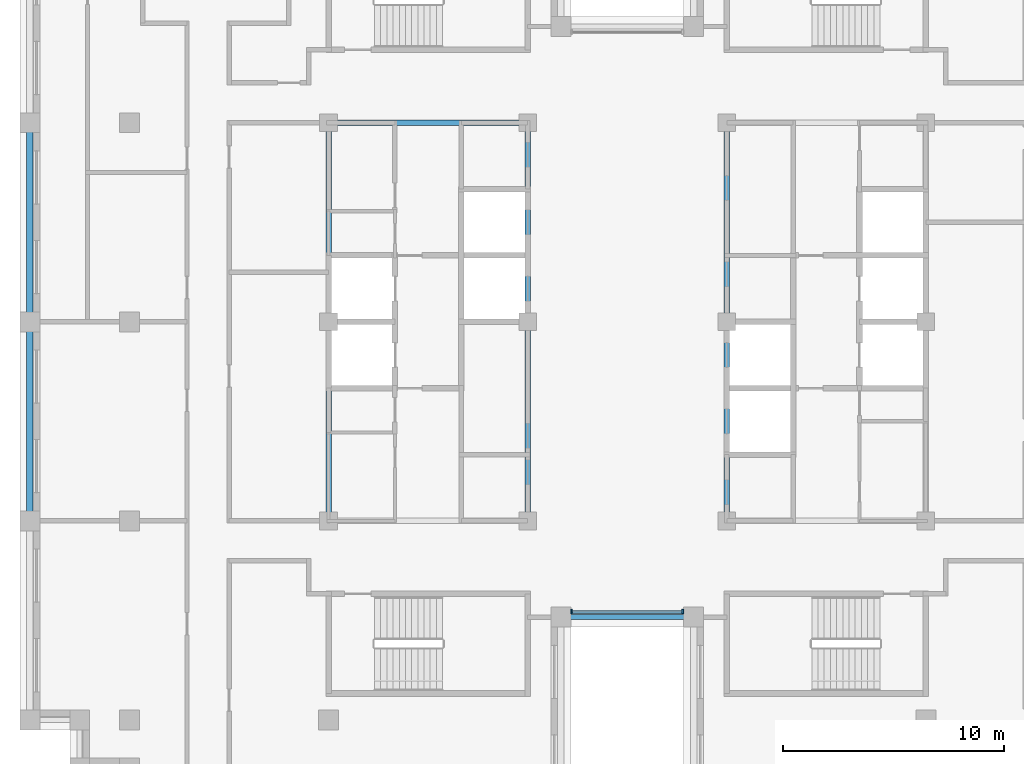
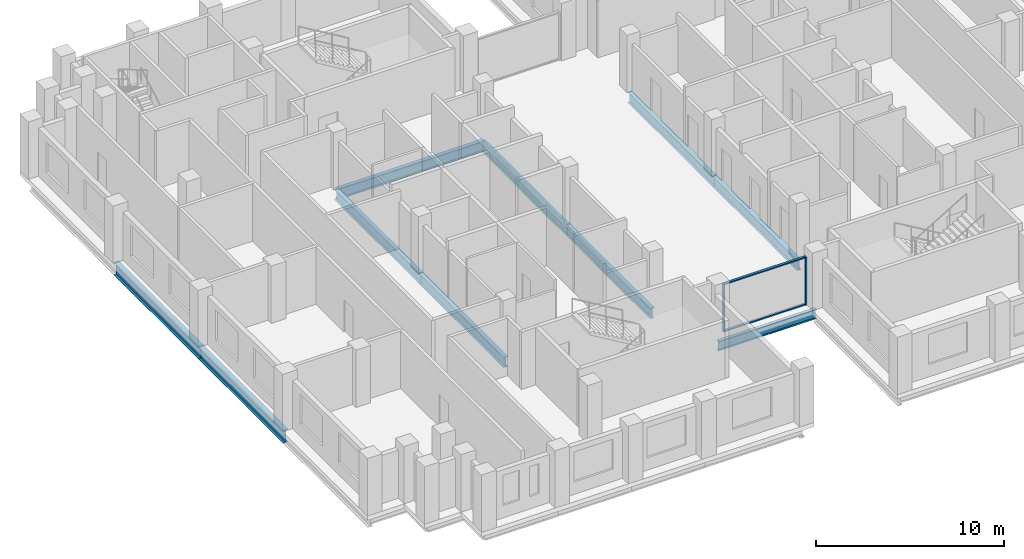
# One storey, part 2 of 13: 10 beams, 4 members, 1 element without a shape of its own.
"""IFC4 building model written with IfcOpenShell, lengths in metres."""

from ifc_helpers import new_model, si_unit, direction, frame, origin, origin_2d, place, context, subcontext, project, spatial, rectangle, i_section, extrude, material, layer, layer_set, material_profile, profile_set, type_object, element, aggregate, save


model = new_model("IFC4")

# Units and contexts
model_context = context("Model", 3, precision=1e-05, world=origin(), true_north=direction((0.0, 1.0)))
body_context = subcontext(model_context, "Body", "Model", "MODEL_VIEW")
ifc_project = project(units=[si_unit("LENGTHUNIT", "METRE"), si_unit("AREAUNIT", "SQUARE_METRE"), si_unit("VOLUMEUNIT", "CUBIC_METRE"), si_unit("PLANEANGLEUNIT", "RADIAN"), si_unit("MASSUNIT", "GRAM", prefix="KILO")], contexts=[model_context])

# Site, building, storey
site_placement = place(None, origin())
site = spatial("IfcSite", under=ifc_project, at=site_placement, CompositionType="ELEMENT")
building_placement = place(site_placement, origin())
building = spatial("IfcBuilding", under=site, at=building_placement, Name="Corbelhall Arena Tower", CompositionType="ELEMENT")
storey_placement = place(building_placement, frame((0.0, 0.0, 246.0)))
storey = spatial("IfcBuildingStorey", under=building, at=storey_placement, Name="L52", CompositionType="ELEMENT", Elevation=246.0)

# Curtain wall, members
ifc_material_1 = material(Name="Aluminium black anodised", Category="aluminium")
ifc_layer = layer(ifc_material_1, 0.199951171875)
ifc_layer_set = layer_set([ifc_layer], Name="EV-CW1 Slot back wall")
curtain_wall_type = type_object("IfcCurtainWallType", Name="EV-CW1 Slot back wall", PredefinedType="NOTDEFINED", material=ifc_layer_set)
curtain_wall_placement = place(storey_placement, origin())
curtain_wall = element("IfcCurtainWall", 1, at=curtain_wall_placement, inside=storey, type_object=curtain_wall_type, Name="Curtain wall CW1", PredefinedType="NOTDEFINED")
ifc_material_profile_1 = material_profile(ifc_material_1, rectangle(XDim=0.199951171875, YDim=0.074951171875, at=origin_2d()))
ifc_profile_set_1 = profile_set([ifc_material_profile_1], Name="Aluminium black anodised")
member_type_1 = type_object("IfcMemberType", Name="EV-CW1-MULLION", PredefinedType="MULLION", material=ifc_profile_set_1)
member_1_placement = place(storey_placement, frame((-2.512451171875, -13.10009765625, 0.0), z_axis=(0.0, 0.0, 1.0), x_axis=(0.0, 1.0, 0.0)))
member_1 = element("IfcMember", 2, at=member_1_placement, type_object=member_type_1, Name="CW1 mullion 1", PredefinedType="MULLION", context=body_context, shape_type="SweptSolid", body=[
    extrude(rectangle(XDim=0.199951171875, YDim=0.074951171875, at=origin_2d()), origin(), (0.0, 0.0, 1.0), 3.1201171875),
])
member_2_placement = place(storey_placement, frame((2.512451171875, -13.10009765625, 0.0), z_axis=(0.0, 0.0, 1.0), x_axis=(0.0, 1.0, 0.0)))
member_2 = element("IfcMember", 3, at=member_2_placement, type_object=member_type_1, Name="CW1 mullion 2", PredefinedType="MULLION", context=body_context, shape_type="SweptSolid", body=[
    extrude(rectangle(XDim=0.199951171875, YDim=0.074951171875, at=origin_2d()), origin(), (0.0, 0.0, 1.0), 3.1201171875),
])
ifc_material_profile_2 = material_profile(ifc_material_1, rectangle(XDim=0.14990234375, YDim=0.074951171875, at=origin_2d()))
ifc_profile_set_2 = profile_set([ifc_material_profile_2], Name="Aluminium black anodised")
member_type_2 = type_object("IfcMemberType", Name="EV-CW1-TRANSOM", PredefinedType="USERDEFINED", material=ifc_profile_set_2)
member_3_placement = place(storey_placement, frame((-2.47509765625, -13.10009765625, 0.03759765625), z_axis=(1.0, 0.0, 0.0), x_axis=(0.0, 1.0, 0.0)))
member_3 = element("IfcMember", 4, at=member_3_placement, type_object=member_type_2, Name="CW1 transom 1.1", ObjectType="transom", PredefinedType="USERDEFINED", context=body_context, shape_type="SweptSolid", body=[
    extrude(rectangle(XDim=0.14990234375, YDim=0.074951171875, at=origin_2d()), origin(), (0.0, 0.0, 1.0), 4.9501953125),
])
member_4_placement = place(storey_placement, frame((-2.47509765625, -13.10009765625, 3.08251953125), z_axis=(1.0, 0.0, 0.0), x_axis=(0.0, 1.0, 0.0)))
member_4 = element("IfcMember", 5, at=member_4_placement, type_object=member_type_2, Name="CW1 transom 1.2", ObjectType="transom", PredefinedType="USERDEFINED", context=body_context, shape_type="SweptSolid", body=[
    extrude(rectangle(XDim=0.14990234375, YDim=0.074951171875, at=origin_2d()), origin(), (0.0, 0.0, 1.0), 4.9501953125),
])
aggregate(curtain_wall, [member_1, member_2, member_3, member_4])

# Beams
ifc_material_2 = material(Name="Steel ASTM A992 Gr50", Category="steel")
ifc_material_profile_3 = material_profile(ifc_material_2, i_section(OverallWidth=0.25390625, OverallDepth=0.67822265625, WebThickness=0.01171875, FlangeThickness=0.016357421875, at=origin_2d()))
ifc_profile_set_3 = profile_set([ifc_material_profile_3], Name="Steel ASTM A992 Gr50")
beam_type_1 = type_object("IfcBeamType", Name="ST-BEAM-W27x84", PredefinedType="BEAM", material=ifc_profile_set_3)
for number, where, z_axis, x_axis, name in (
    (6, (-13.5, -9.0, -0.619140625), (0.0, 1.0, 0.0), (-1.0, 0.0, 0.0), "Beam CEW 1"),
    (7, (-13.5, 0.0, -0.619140625), (0.0, 1.0, 0.0), (-1.0, 0.0, 0.0), "Beam CEW 2"),
    (8, (-4.5, -9.0, -0.619140625), (0.0, 1.0, 0.0), (-1.0, 0.0, 0.0), "Beam CEW 3"),
    (9, (-4.5, 0.0, -0.619140625), (0.0, 1.0, 0.0), (-1.0, 0.0, 0.0), "Beam CEW 4"),
    (10, (-13.5, 9.0, -0.619140625), (1.0, 0.0, 0.0), (0.0, 1.0, 0.0), "Beam CEW 6"),
    (11, (4.5, -9.0, -0.619140625), (0.0, 1.0, 0.0), (-1.0, 0.0, 0.0), "Beam CEE 7"),
    (12, (4.5, 0.0, -0.619140625), (0.0, 1.0, 0.0), (-1.0, 0.0, 0.0), "Beam CEE 8"),
):
    element("IfcBeam", number, at=place(storey_placement, frame(where, z_axis=z_axis, x_axis=x_axis)), inside=storey, type_object=beam_type_1, Name=name, PredefinedType="BEAM", context=body_context, shape_type="SweptSolid", body=[
        extrude(i_section(OverallWidth=0.25390625, OverallDepth=0.67822265625, WebThickness=0.01171875, FlangeThickness=0.016357421875, at=origin_2d()), origin(), (0.0, 0.0, 1.0), 9.0),
    ])
ifc_material_profile_4 = material_profile(ifc_material_2, i_section(OverallWidth=0.227783203125, OverallDepth=0.60205078125, WebThickness=0.010498046875, FlangeThickness=0.014892578125, at=origin_2d()))
ifc_profile_set_4 = profile_set([ifc_material_profile_4], Name="Steel ASTM A992 Gr50")
beam_type_2 = type_object("IfcBeamType", Name="ST-SPANDREL-W24x68", PredefinedType="SPANDREL", material=ifc_profile_set_4)
beam_placement = place(storey_placement, frame((3.0, -13.35009765625, -0.5810546875), z_axis=(-1.0, 0.0, 0.0), x_axis=(0.0, -1.0, 0.0)))
element("IfcBeam", 13, at=beam_placement, inside=storey, type_object=beam_type_2, Name="Beam SP 33", PredefinedType="SPANDREL", context=body_context, shape_type="SweptSolid", body=[
    extrude(i_section(OverallWidth=0.227783203125, OverallDepth=0.60205078125, WebThickness=0.010498046875, FlangeThickness=0.014892578125, at=origin_2d()), origin(), (0.0, 0.0, 1.0), 6.0),
])
ifc_material_profile_5 = material_profile(ifc_material_2, i_section(OverallWidth=0.2919921875, OverallDepth=0.845703125, WebThickness=0.015380859375, FlangeThickness=0.0244140625, at=origin_2d()))
ifc_profile_set_5 = profile_set([ifc_material_profile_5], Name="Steel ASTM A992 Gr50")
beam_type_3 = type_object("IfcBeamType", Name="ST-SPANDREL-W33x141", PredefinedType="SPANDREL", material=ifc_profile_set_5)
for number, where, z_axis, x_axis, name in (
    (14, (-27.0, 0.0, -0.702880859375), (0.0, 1.0, 0.0), (-1.0, 0.0, 0.0), "Beam SP 26"),
    (15, (-27.0, -9.0, -0.702880859375), (0.0, 1.0, 0.0), (-1.0, 0.0, 0.0), "Beam SP 29"),
):
    element("IfcBeam", number, at=place(storey_placement, frame(where, z_axis=z_axis, x_axis=x_axis)), inside=storey, type_object=beam_type_3, Name=name, PredefinedType="SPANDREL", context=body_context, shape_type="SweptSolid", body=[
        extrude(i_section(OverallWidth=0.2919921875, OverallDepth=0.845703125, WebThickness=0.015380859375, FlangeThickness=0.0244140625, at=origin_2d()), origin(), (0.0, 0.0, 1.0), 9.0),
    ])

save(model, "model.ifc")
